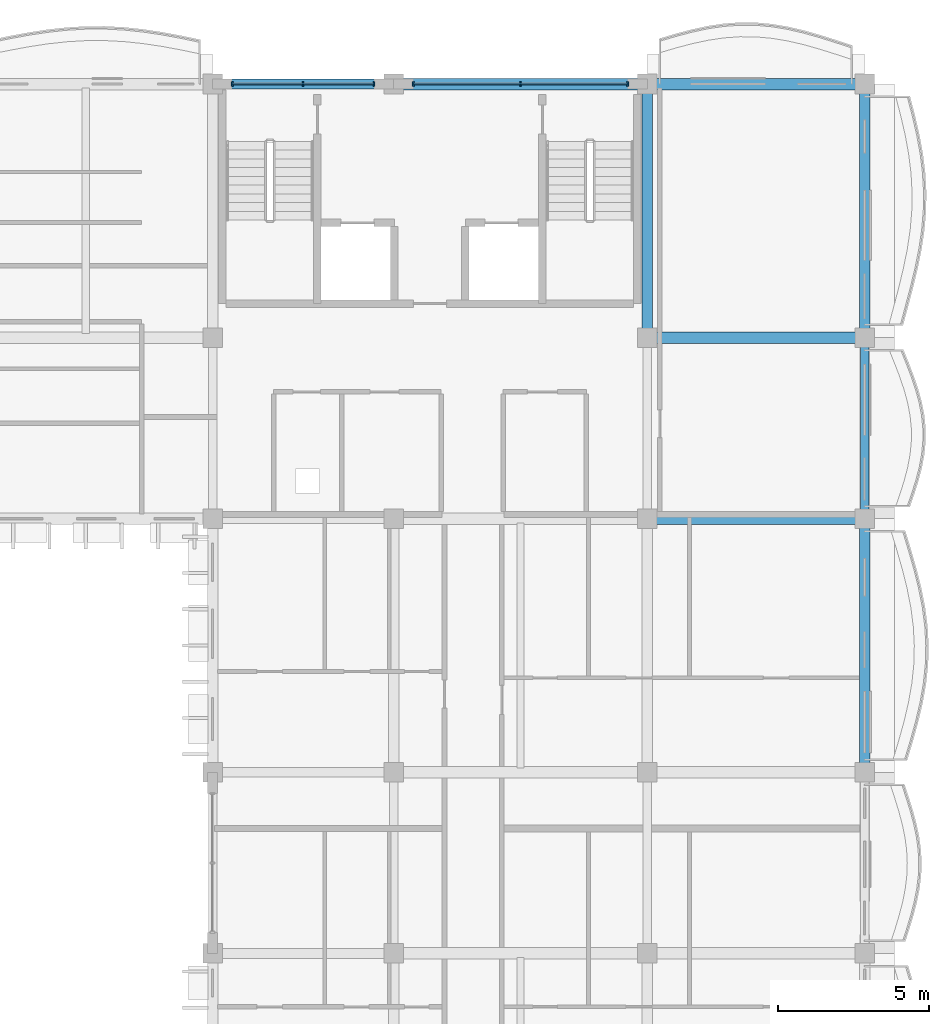
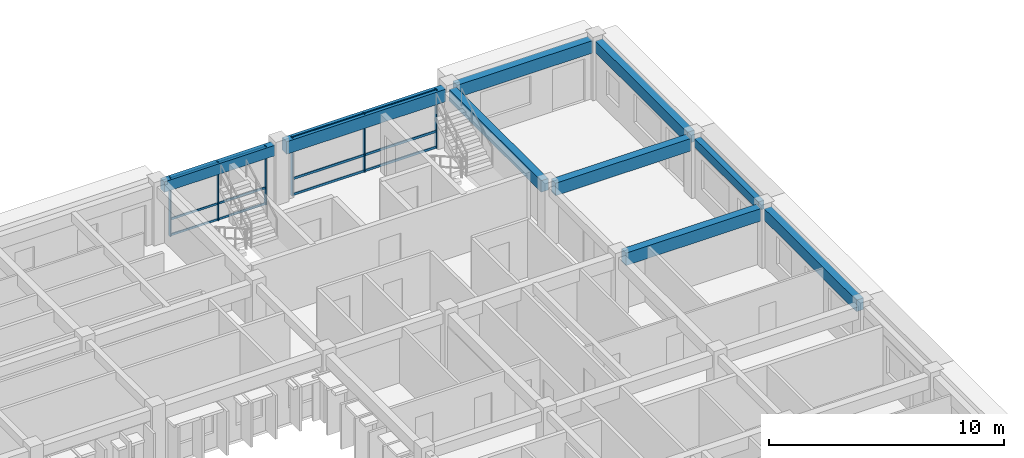
# One storey, part 18 of 76: 12 members, 9 beams, 2 elements without a shape of their own.
"""IFC4 building model written with IfcOpenShell, lengths in metres."""

from ifc_helpers import new_model, si_unit, direction, frame, origin, origin_2d, place, context, subcontext, project, spatial, rectangle, extrude, material, material_profile, profile_set, type_object, element, aggregate, save


model = new_model("IFC4")

# Units and contexts
model_context = context("Model", 3, precision=1e-05, world=origin(), true_north=direction((0.0, 1.0)))
body_context = subcontext(model_context, "Body", "Model", "MODEL_VIEW")
ifc_project = project(units=[si_unit("LENGTHUNIT", "METRE"), si_unit("AREAUNIT", "SQUARE_METRE"), si_unit("VOLUMEUNIT", "CUBIC_METRE"), si_unit("PLANEANGLEUNIT", "RADIAN"), si_unit("MASSUNIT", "GRAM", prefix="KILO"), si_unit("THERMODYNAMICTEMPERATUREUNIT", "KELVIN")], contexts=[model_context])

# Site, building, storey
site_placement = place(None, origin())
site = spatial("IfcSite", under=ifc_project, at=site_placement, CompositionType="ELEMENT")
building_placement = place(site_placement, origin())
building = spatial("IfcBuilding", under=site, at=building_placement, Name="Thalorik Housing Commons", CompositionType="ELEMENT")
storey_placement = place(building_placement, frame((0.0, 0.0, 18.0)))
storey = spatial("IfcBuildingStorey", under=building, at=storey_placement, Name="L05", CompositionType="ELEMENT", Elevation=18.0)

# Curtain wall, members
ifc_material_1 = material(Name="Anodised aluminium and solar-control low-E glass", Category="aluminium")
curtain_wall_type = type_object("IfcCurtainWallType", Name="ARC-CW-CORE", PredefinedType="USERDEFINED", material=ifc_material_1)
curtain_wall_1_placement = place(storey_placement, origin())
curtain_wall_1 = element("IfcCurtainWall", 1, at=curtain_wall_1_placement, inside=storey, type_object=curtain_wall_type, Name="L05 Curtain Wall CW-CORE-L05-B-093", ObjectType="CURTAIN WALL", PredefinedType="USERDEFINED")
ifc_material_2 = material(Name="Anodised aluminium 6063-T6", Category="aluminium")
ifc_material_profile_1 = material_profile(ifc_material_2, rectangle(XDim=0.054931640625, YDim=0.139892578125, at=origin_2d()), Name="ALU MUL 55x140", Category="aluminium")
ifc_profile_set_1 = profile_set([ifc_material_profile_1], Name="Anodised aluminium 6063-T6")
member_type_1 = type_object("IfcMemberType", Name="ARC-CW-MUL-55x140", PredefinedType="MULLION", material=ifc_profile_set_1)
member_1_placement = place(storey_placement, frame((157.75, 123.60009765625, 0.0), z_axis=(0.0, 0.0, 1.0), x_axis=(-1.0, 0.0, 0.0)))
member_1 = element("IfcMember", 2, at=member_1_placement, type_object=member_type_1, Name="CW-CORE-L05-B-093 Mullion 1", PredefinedType="MULLION", context=body_context, shape_type="SweptSolid", body=[
    extrude(rectangle(XDim=0.054931640625, YDim=0.139892578125, at=origin_2d()), origin(), (0.0, 0.0, 1.0), 3.0400390625),
])
member_2_placement = place(storey_placement, frame((155.39990234375, 123.60009765625, 0.0), z_axis=(0.0, 0.0, 1.0), x_axis=(-1.0, 0.0, 0.0)))
member_2 = element("IfcMember", 3, at=member_2_placement, type_object=member_type_1, Name="CW-CORE-L05-B-093 Mullion 2", PredefinedType="MULLION", context=body_context, shape_type="SweptSolid", body=[
    extrude(rectangle(XDim=0.054931640625, YDim=0.139892578125, at=origin_2d()), origin(), (0.0, 0.0, 1.0), 3.0400390625),
])
member_3_placement = place(storey_placement, frame((153.050048828125, 123.60009765625, 0.0), z_axis=(0.0, 0.0, 1.0), x_axis=(-1.0, 0.0, 0.0)))
member_3 = element("IfcMember", 4, at=member_3_placement, type_object=member_type_1, Name="CW-CORE-L05-B-093 Mullion 3", PredefinedType="MULLION", context=body_context, shape_type="SweptSolid", body=[
    extrude(rectangle(XDim=0.054931640625, YDim=0.139892578125, at=origin_2d()), origin(), (0.0, 0.0, 1.0), 3.0400390625),
])

curtain_wall_2_placement = place(storey_placement, origin())
curtain_wall_2 = element("IfcCurtainWall", 5, at=curtain_wall_2_placement, inside=storey, type_object=curtain_wall_type, Name="L05 Curtain Wall CW-CORE-L05-B-092", ObjectType="CURTAIN WALL", PredefinedType="USERDEFINED")
ifc_material_profile_2 = material_profile(ifc_material_2, rectangle(XDim=0.06005859375, YDim=0.159912109375, at=origin_2d()), Name="ALU MUL 60x160", Category="aluminium")
ifc_profile_set_2 = profile_set([ifc_material_profile_2], Name="Anodised aluminium 6063-T6")
member_type_2 = type_object("IfcMemberType", Name="ARC-CW-MUL-60x160", PredefinedType="MULLION", material=ifc_profile_set_2)
member_4_placement = place(storey_placement, frame((166.14990234375, 123.60009765625, 0.0), z_axis=(0.0, 0.0, 1.0), x_axis=(-1.0, 0.0, 0.0)))
member_4 = element("IfcMember", 6, at=member_4_placement, type_object=member_type_2, Name="CW-CORE-L05-B-092 Mullion 1", PredefinedType="MULLION", context=body_context, shape_type="SweptSolid", body=[
    extrude(rectangle(XDim=0.06005859375, YDim=0.159912109375, at=origin_2d()), origin(), (0.0, 0.0, 1.0), 3.0400390625),
])
member_5_placement = place(storey_placement, frame((162.60009765625, 123.60009765625, 0.0), z_axis=(0.0, 0.0, 1.0), x_axis=(-1.0, 0.0, 0.0)))
member_5 = element("IfcMember", 7, at=member_5_placement, type_object=member_type_2, Name="CW-CORE-L05-B-092 Mullion 2", PredefinedType="MULLION", context=body_context, shape_type="SweptSolid", body=[
    extrude(rectangle(XDim=0.06005859375, YDim=0.159912109375, at=origin_2d()), origin(), (0.0, 0.0, 1.0), 3.0400390625),
])
member_6_placement = place(storey_placement, frame((159.050048828125, 123.60009765625, 0.0), z_axis=(0.0, 0.0, 1.0), x_axis=(-1.0, 0.0, 0.0)))
member_6 = element("IfcMember", 8, at=member_6_placement, type_object=member_type_2, Name="CW-CORE-L05-B-092 Mullion 3", PredefinedType="MULLION", context=body_context, shape_type="SweptSolid", body=[
    extrude(rectangle(XDim=0.06005859375, YDim=0.159912109375, at=origin_2d()), origin(), (0.0, 0.0, 1.0), 3.0400390625),
])

# Member
ifc_material_profile_3 = material_profile(ifc_material_2, rectangle(XDim=0.054931640625, YDim=0.10498046875, at=origin_2d()), Name="ALU TRN 55x105", Category="aluminium")
ifc_profile_set_3 = profile_set([ifc_material_profile_3], Name="Anodised aluminium 6063-T6")
member_type_3 = type_object("IfcMemberType", Name="ARC-CW-TRN-55x105", PredefinedType="USERDEFINED", material=ifc_profile_set_3)
member_7_placement = place(storey_placement, frame((157.75, 123.60009765625, 0.054931640625), z_axis=(-1.0, 0.0, 0.0), x_axis=(0.0, -1.0, 0.0)))
member_7 = element("IfcMember", 9, at=member_7_placement, type_object=member_type_3, Name="CW-CORE-L05-B-093 Transom 1", ObjectType="TRANSOM", PredefinedType="USERDEFINED", context=body_context, shape_type="SweptSolid", body=[
    extrude(rectangle(XDim=0.054931640625, YDim=0.10498046875, at=origin_2d()), origin(), (0.0, 0.0, 1.0), 4.699951171875),
])

member_8_placement = place(storey_placement, frame((157.75, 123.60009765625, 0.8798828125), z_axis=(-1.0, 0.0, 0.0), x_axis=(0.0, -1.0, 0.0)))
member_8 = element("IfcMember", 10, at=member_8_placement, type_object=member_type_3, Name="CW-CORE-L05-B-093 Transom 2", ObjectType="TRANSOM", PredefinedType="USERDEFINED", context=body_context, shape_type="SweptSolid", body=[
    extrude(rectangle(XDim=0.054931640625, YDim=0.10498046875, at=origin_2d()), origin(), (0.0, 0.0, 1.0), 4.699951171875),
])

member_9_placement = place(storey_placement, frame((157.75, 123.60009765625, 2.985107421875), z_axis=(-1.0, 0.0, 0.0), x_axis=(0.0, -1.0, 0.0)))
member_9 = element("IfcMember", 11, at=member_9_placement, type_object=member_type_3, Name="CW-CORE-L05-B-093 Transom 3", ObjectType="TRANSOM", PredefinedType="USERDEFINED", context=body_context, shape_type="SweptSolid", body=[
    extrude(rectangle(XDim=0.054931640625, YDim=0.10498046875, at=origin_2d()), origin(), (0.0, 0.0, 1.0), 4.699951171875),
])

aggregate(curtain_wall_1, [member_1, member_2, member_3, member_7, member_8, member_9])

ifc_material_profile_4 = material_profile(ifc_material_2, rectangle(XDim=0.06005859375, YDim=0.1201171875, at=origin_2d()), Name="ALU TRN 60x120", Category="aluminium")
ifc_profile_set_4 = profile_set([ifc_material_profile_4], Name="Anodised aluminium 6063-T6")
member_type_4 = type_object("IfcMemberType", Name="ARC-CW-TRN-60x120", PredefinedType="USERDEFINED", material=ifc_profile_set_4)
member_10_placement = place(storey_placement, frame((166.14990234375, 123.60009765625, 0.054931640625), z_axis=(-1.0, 0.0, 0.0), x_axis=(0.0, -1.0, 0.0)))
member_10 = element("IfcMember", 12, at=member_10_placement, type_object=member_type_4, Name="CW-CORE-L05-B-092 Transom 1", ObjectType="TRANSOM", PredefinedType="USERDEFINED", context=body_context, shape_type="SweptSolid", body=[
    extrude(rectangle(XDim=0.06005859375, YDim=0.1201171875, at=origin_2d()), origin(), (0.0, 0.0, 1.0), 7.099853515625),
])

member_11_placement = place(storey_placement, frame((166.14990234375, 123.60009765625, 0.8798828125), z_axis=(-1.0, 0.0, 0.0), x_axis=(0.0, -1.0, 0.0)))
member_11 = element("IfcMember", 13, at=member_11_placement, type_object=member_type_4, Name="CW-CORE-L05-B-092 Transom 2", ObjectType="TRANSOM", PredefinedType="USERDEFINED", context=body_context, shape_type="SweptSolid", body=[
    extrude(rectangle(XDim=0.06005859375, YDim=0.1201171875, at=origin_2d()), origin(), (0.0, 0.0, 1.0), 7.099853515625),
])

member_12_placement = place(storey_placement, frame((166.14990234375, 123.60009765625, 2.985107421875), z_axis=(-1.0, 0.0, 0.0), x_axis=(0.0, -1.0, 0.0)))
member_12 = element("IfcMember", 14, at=member_12_placement, type_object=member_type_4, Name="CW-CORE-L05-B-092 Transom 3", ObjectType="TRANSOM", PredefinedType="USERDEFINED", context=body_context, shape_type="SweptSolid", body=[
    extrude(rectangle(XDim=0.06005859375, YDim=0.1201171875, at=origin_2d()), origin(), (0.0, 0.0, 1.0), 7.099853515625),
])

aggregate(curtain_wall_2, [member_4, member_5, member_6, member_10, member_11, member_12])

# Beams
ifc_material_3 = material(Name="Precast concrete C40/50", Category="concrete")
ifc_material_profile_5 = material_profile(ifc_material_3, rectangle(XDim=0.280029296875, YDim=0.449951171875, at=origin_2d()), Name="PC 280x450", Category="concrete")
ifc_profile_set_5 = profile_set([ifc_material_profile_5], Name="Precast concrete C40/50")
beam_type_1 = type_object("IfcBeamType", Name="STR-BM-PC280x450", PredefinedType="BEAM", material=ifc_profile_set_5)
beam_1_placement = place(storey_placement, frame((174.0, 109.47509765625, 2.81494140625), z_axis=(0.0, 1.0, 0.0), x_axis=(-1.0, 0.0, 0.0)))
element("IfcBeam", 15, at=beam_1_placement, inside=storey, type_object=beam_type_1, Name="L05 Beam B-450", PredefinedType="BEAM", context=body_context, shape_type="SweptSolid", body=[
    extrude(rectangle(XDim=0.280029296875, YDim=0.449951171875, at=origin_2d()), origin(), (0.0, 0.0, 1.0), 5.449951171875),
])
ifc_material_profile_6 = material_profile(ifc_material_3, rectangle(XDim=0.320068359375, YDim=0.550048828125, at=origin_2d()), Name="PC 320x550", Category="concrete")
ifc_profile_set_6 = profile_set([ifc_material_profile_6], Name="Precast concrete C40/50")
beam_type_2 = type_object("IfcBeamType", Name="STR-BM-PC320x550", PredefinedType="BEAM", material=ifc_profile_set_6)
beam_2_placement = place(storey_placement, frame((152.675048828125, 123.60009765625, 2.764892578125), z_axis=(1.0, 0.0, 0.0), x_axis=(0.0, 1.0, 0.0)))
element("IfcBeam", 16, at=beam_2_placement, inside=storey, type_object=beam_type_2, Name="L05 Beam B-550", PredefinedType="BEAM", context=body_context, shape_type="SweptSolid", body=[
    extrude(rectangle(XDim=0.320068359375, YDim=0.550048828125, at=origin_2d()), origin(), (0.0, 0.0, 1.0), 5.449951171875),
])
ifc_material_profile_7 = material_profile(ifc_material_3, rectangle(XDim=0.35009765625, YDim=0.60009765625, at=origin_2d()), Name="PC 350x600", Category="concrete")
ifc_profile_set_7 = profile_set([ifc_material_profile_7], Name="Precast concrete C40/50")
beam_type_3 = type_object("IfcBeamType", Name="STR-BM-PC350x600", PredefinedType="BEAM", material=ifc_profile_set_7)
beam_3_placement = place(storey_placement, frame((166.800048828125, 115.47509765625, 2.739990234375), z_axis=(0.0, 1.0, 0.0), x_axis=(-1.0, 0.0, 0.0)))
element("IfcBeam", 17, at=beam_3_placement, inside=storey, type_object=beam_type_3, Name="L05 Beam B-600", PredefinedType="BEAM", context=body_context, shape_type="SweptSolid", body=[
    extrude(rectangle(XDim=0.35009765625, YDim=0.60009765625, at=origin_2d()), origin(), (0.0, 0.0, 1.0), 7.849853515625),
])
beam_4_placement = place(storey_placement, frame((174.0, 101.074951171875, 2.739990234375), z_axis=(0.0, 1.0, 0.0), x_axis=(-1.0, 0.0, 0.0)))
element("IfcBeam", 18, at=beam_4_placement, inside=storey, type_object=beam_type_3, Name="L05 Beam B-600", PredefinedType="BEAM", context=body_context, shape_type="SweptSolid", body=[
    extrude(rectangle(XDim=0.35009765625, YDim=0.60009765625, at=origin_2d()), origin(), (0.0, 0.0, 1.0), 7.85009765625),
])
beam_5_placement = place(storey_placement, frame((174.0, 115.47509765625, 2.739990234375), z_axis=(0.0, 1.0, 0.0), x_axis=(-1.0, 0.0, 0.0)))
element("IfcBeam", 19, at=beam_5_placement, inside=storey, type_object=beam_type_3, Name="L05 Beam B-600", PredefinedType="BEAM", context=body_context, shape_type="SweptSolid", body=[
    extrude(rectangle(XDim=0.35009765625, YDim=0.60009765625, at=origin_2d()), origin(), (0.0, 0.0, 1.0), 7.849853515625),
])
ifc_material_profile_8 = material_profile(ifc_material_3, rectangle(XDim=0.3798828125, YDim=0.64990234375, at=origin_2d()), Name="PC 380x650", Category="concrete")
ifc_profile_set_8 = profile_set([ifc_material_profile_8], Name="Precast concrete C40/50")
beam_type_4 = type_object("IfcBeamType", Name="STR-BM-PC380x650", PredefinedType="BEAM", material=ifc_profile_set_8)
for number, where, z_axis, x_axis, name in (
    (20, (167.074951171875, 109.199951171875, 2.715087890625), (1.0, 0.0, 0.0), (0.0, 1.0, 0.0), "L05 Beam B-650"),
    (21, (167.074951171875, 115.199951171875, 2.715087890625), (1.0, 0.0, 0.0), (0.0, 1.0, 0.0), "L05 Beam B-650"),
):
    element("IfcBeam", number, at=place(storey_placement, frame(where, z_axis=z_axis, x_axis=x_axis)), inside=storey, type_object=beam_type_4, Name=name, PredefinedType="BEAM", context=body_context, shape_type="SweptSolid", body=[
        extrude(rectangle(XDim=0.3798828125, YDim=0.64990234375, at=origin_2d()), origin(), (0.0, 0.0, 1.0), 6.650146484375),
    ])
beam_6_placement = place(storey_placement, frame((158.675048828125, 123.60009765625, 2.715087890625), z_axis=(1.0, 0.0, 0.0), x_axis=(0.0, 1.0, 0.0)))
element("IfcBeam", 22, at=beam_6_placement, inside=storey, type_object=beam_type_4, Name="L05 Beam B-650", PredefinedType="BEAM", context=body_context, shape_type="SweptSolid", body=[
    extrude(rectangle(XDim=0.3798828125, YDim=0.64990234375, at=origin_2d()), origin(), (0.0, 0.0, 1.0), 7.849853515625),
])
beam_7_placement = place(storey_placement, frame((167.074951171875, 123.60009765625, 2.715087890625), z_axis=(1.0, 0.0, 0.0), x_axis=(0.0, 1.0, 0.0)))
element("IfcBeam", 23, at=beam_7_placement, inside=storey, type_object=beam_type_4, Name="L05 Beam B-650", PredefinedType="BEAM", context=body_context, shape_type="SweptSolid", body=[
    extrude(rectangle(XDim=0.3798828125, YDim=0.64990234375, at=origin_2d()), origin(), (0.0, 0.0, 1.0), 6.650146484375),
])

save(model, "model.ifc")
